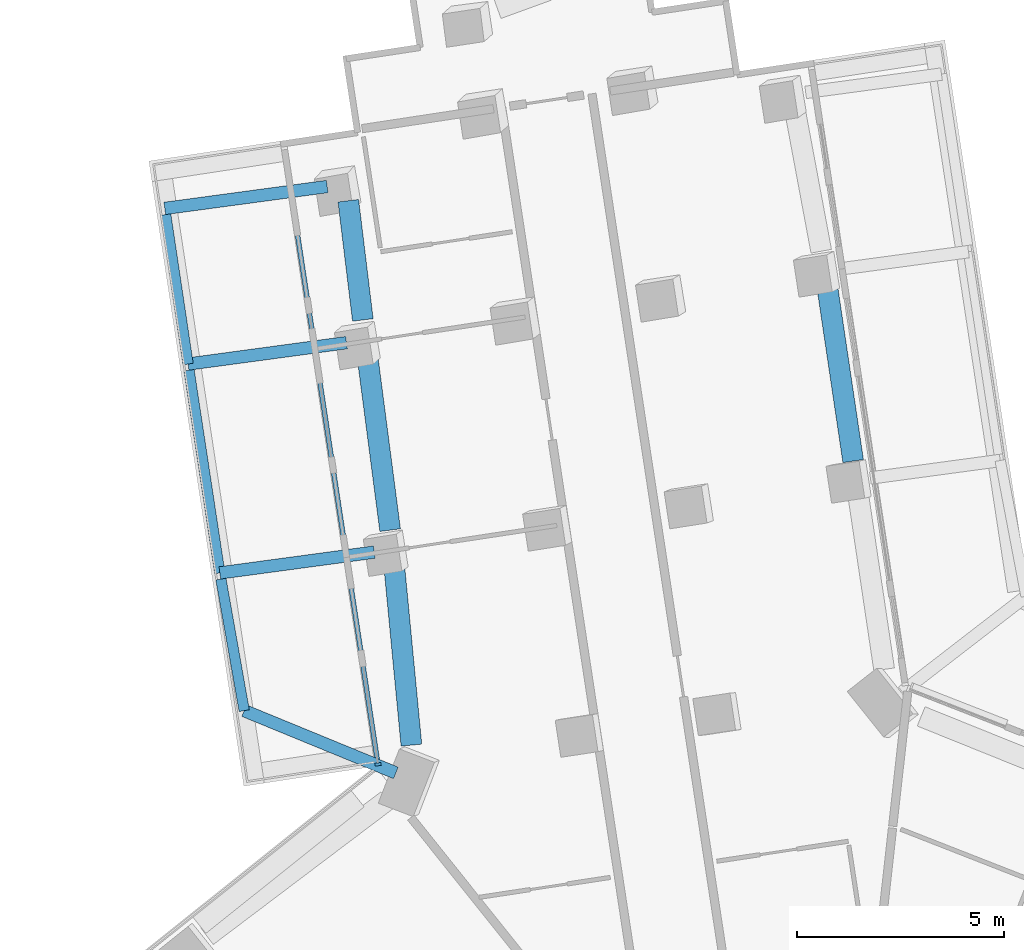
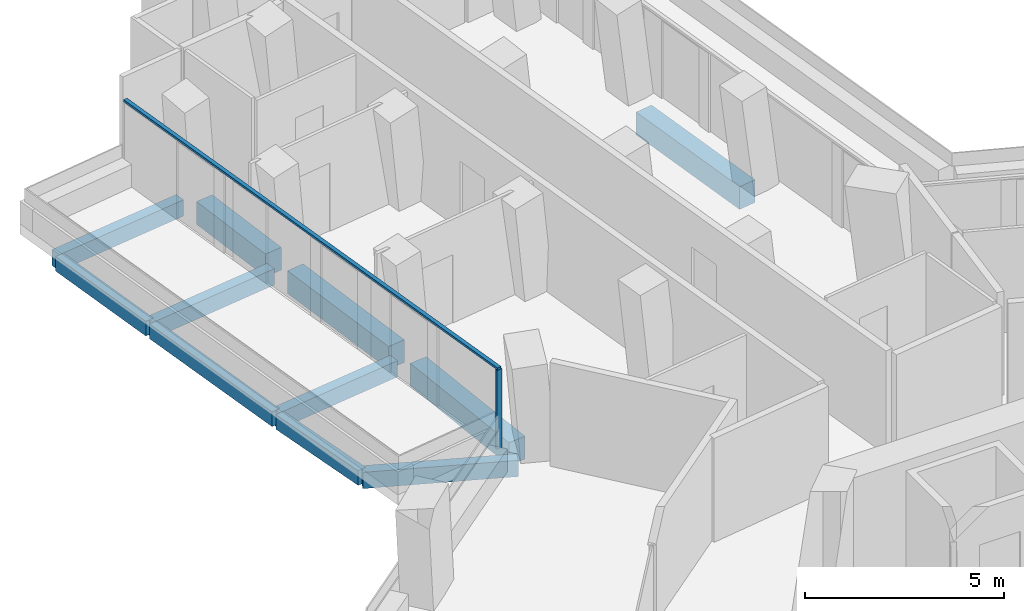
# One storey, part 8 of 28: 11 beams, 2 members, 1 element without a shape of its own.
"""IFC4 building model written with IfcOpenShell, lengths in metres."""

from ifc_helpers import new_model, si_unit, direction, frame, origin, origin_2d, place, context, subcontext, project, spatial, rectangle, extrude, material, layer, layer_set, material_profile, profile_set, type_object, element, aggregate, save


model = new_model("IFC4")

# Units and contexts
model_context = context("Model", 3, precision=1e-05, world=origin(), true_north=direction((0.0, 1.0)))
body_context = subcontext(model_context, "Body", "Model", "MODEL_VIEW")
ifc_project = project(units=[si_unit("LENGTHUNIT", "METRE"), si_unit("AREAUNIT", "SQUARE_METRE"), si_unit("VOLUMEUNIT", "CUBIC_METRE"), si_unit("PLANEANGLEUNIT", "RADIAN"), si_unit("MASSUNIT", "GRAM", prefix="KILO")], contexts=[model_context])

# Site, building, storey
site_placement = place(None, origin())
site = spatial("IfcSite", under=ifc_project, at=site_placement, CompositionType="ELEMENT")
building_placement = place(site_placement, origin())
building = spatial("IfcBuilding", under=site, at=building_placement, Name="Verdalira Terraces Hotel", CompositionType="ELEMENT")
storey_placement = place(building_placement, frame((0.0, 0.0, 68.0)))
storey = spatial("IfcBuildingStorey", under=building, at=storey_placement, Name="L15", CompositionType="ELEMENT", Elevation=68.0)

# Beams
ifc_material_1 = material(Name="Concrete C40", Category="concrete")
ifc_material_profile_1 = material_profile(ifc_material_1, rectangle(XDim=0.300049, YDim=0.5, at=origin_2d()), Name="RC 300X500")
ifc_profile_set_1 = profile_set([ifc_material_profile_1], Name="Concrete C40")
beam_type_1 = type_object("IfcBeamType", Name="Balcony cantilever beam RC 300X500 C40", PredefinedType="BEAM", material=ifc_profile_set_1)
beam_1_placement = place(storey_placement, frame((-11.225098, 36.977295, -0.560059), z_axis=(-0.991030303, -0.133637343, 0.0), x_axis=(0.133637343, -0.991030303, 0.0)))
element("IfcBeam", 1, at=beam_1_placement, inside=storey, type_object=beam_type_1, Name="Balcony cantilever beam R10-1", PredefinedType="BEAM", context=body_context, shape_type="SweptSolid", body=[
    extrude(rectangle(XDim=0.300049, YDim=0.5, at=origin_2d()), origin(), (0.0, 0.0, 1.0), 3.949707),
])
beam_2_placement = place(storey_placement, frame((-10.76001, 33.214111, -0.560059), z_axis=(-0.99102695, -0.133662201, 0.0), x_axis=(0.133662201, -0.99102695, 0.0)))
element("IfcBeam", 2, at=beam_2_placement, inside=storey, type_object=beam_type_1, Name="Balcony cantilever beam R10-2", PredefinedType="BEAM", context=body_context, shape_type="SweptSolid", body=[
    extrude(rectangle(XDim=0.300049, YDim=0.5, at=origin_2d()), origin(), (0.0, 0.0, 1.0), 3.852295),
])
beam_3_placement = place(storey_placement, frame((-10.092041, 28.166748, -0.560059), z_axis=(-0.991030875, -0.1336331, 0.0), x_axis=(0.1336331, -0.991030875, 0.0)))
element("IfcBeam", 3, at=beam_3_placement, inside=storey, type_object=beam_type_1, Name="Balcony cantilever beam R10-3", PredefinedType="BEAM", context=body_context, shape_type="SweptSolid", body=[
    extrude(rectangle(XDim=0.300049, YDim=0.5, at=origin_2d()), origin(), (0.0, 0.0, 1.0), 3.754395),
])
beam_4_placement = place(storey_placement, frame((-9.571289, 22.845947, -0.560059), z_axis=(-0.925057828, 0.379826296, 0.0), x_axis=(-0.379826296, -0.925057828, 0.0)))
element("IfcBeam", 4, at=beam_4_placement, inside=storey, type_object=beam_type_1, Name="Balcony cantilever beam R10-4", PredefinedType="BEAM", context=body_context, shape_type="SweptSolid", body=[
    extrude(rectangle(XDim=0.300049, YDim=0.5, at=origin_2d()), origin(), (0.0, 0.0, 1.0), 3.949707),
])
ifc_material_2 = material(Name="Concrete C40", Category="concrete")
ifc_material_profile_2 = material_profile(ifc_material_2, rectangle(XDim=0.25, YDim=0.449951, at=origin_2d()), Name="RC 250X450")
ifc_profile_set_2 = profile_set([ifc_material_profile_2], Name="Concrete C40")
beam_type_2 = type_object("IfcBeamType", Name="Balcony edge beam RC 250X450 C40", PredefinedType="BEAM", material=ifc_profile_set_2)
beam_5_placement = place(storey_placement, frame((-15.117188, 36.30127, -0.534912), z_axis=(0.148137228, -0.988966815, 0.0), x_axis=(0.988966815, 0.148137228, 0.0)))
element("IfcBeam", 5, at=beam_5_placement, inside=storey, type_object=beam_type_2, Name="Balcony edge beam R10-1", PredefinedType="BEAM", context=body_context, shape_type="SweptSolid", body=[
    extrude(rectangle(XDim=0.25, YDim=0.449951, at=origin_2d()), origin(), (0.0, 0.0, 1.0), 3.642334),
])
beam_6_placement = place(storey_placement, frame((-14.555176, 32.551025, -0.534912), z_axis=(0.150226822, -0.988651557, 0.0), x_axis=(0.988651557, 0.150226822, 0.0)))
element("IfcBeam", 6, at=beam_6_placement, inside=storey, type_object=beam_type_2, Name="Balcony edge beam R10-2", PredefinedType="BEAM", context=body_context, shape_type="SweptSolid", body=[
    extrude(rectangle(XDim=0.25, YDim=0.449951, at=origin_2d()), origin(), (0.0, 0.0, 1.0), 4.942139),
])
beam_7_placement = place(storey_placement, frame((-13.786621, 27.517334, -0.534912), z_axis=(0.174360485, -0.984681888, 0.0), x_axis=(0.984681888, 0.174360485, 0.0)))
element("IfcBeam", 7, at=beam_7_placement, inside=storey, type_object=beam_type_2, Name="Balcony edge beam R10-3", PredefinedType="BEAM", context=body_context, shape_type="SweptSolid", body=[
    extrude(rectangle(XDim=0.25, YDim=0.449951, at=origin_2d()), origin(), (0.0, 0.0, 1.0), 3.220459),
])

# Curtain wall, members
ifc_material_3 = material(Name="Clear glass", Category="glass")
ifc_layer = layer(ifc_material_3, 0.14990234375)
ifc_layer_set = layer_set([ifc_layer], Name="CW2 curtain wall")
curtain_wall_type = type_object("IfcCurtainWallType", Name="CW2 curtain wall", PredefinedType="NOTDEFINED", material=ifc_layer_set)
curtain_wall_placement = place(storey_placement, origin())
curtain_wall = element("IfcCurtainWall", 8, at=curtain_wall_placement, inside=storey, type_object=curtain_wall_type, Name="CW2 curtain wall L15 edge 10", PredefinedType="NOTDEFINED")
ifc_material_4 = material(Name="Terracotta frame", Category="masonry")
ifc_material_profile_3 = material_profile(ifc_material_4, rectangle(XDim=0.070068, YDim=0.149902, at=origin_2d()), Name="MU 70x150")
ifc_profile_set_3 = profile_set([ifc_material_profile_3], Name="Terracotta frame")
member_type_1 = type_object("IfcMemberType", Name="CW2 mullion 70x150", PredefinedType="MULLION", material=ifc_profile_set_3)
member_1_placement = place(storey_placement, frame((-10.001465, 23.05249, 0.0), z_axis=(0.0, 0.0, 1.0), x_axis=(0.150225589, -0.988651745, 0.0)))
member_1 = element("IfcMember", 9, at=member_1_placement, type_object=member_type_1, Name="CW2 mullion", PredefinedType="MULLION", context=body_context, shape_type="SweptSolid", body=[
    extrude(rectangle(XDim=0.070068, YDim=0.149902, at=origin_2d()), origin(), (0.0, 0.0, 1.0), 2.425049),
])
ifc_material_5 = material(Name="Terracotta frame", Category="masonry")
ifc_material_profile_4 = material_profile(ifc_material_5, rectangle(XDim=0.11499, YDim=0.064941, at=origin_2d()), Name="TR 65x115")
ifc_profile_set_4 = profile_set([ifc_material_profile_4], Name="Terracotta frame")
member_type_2 = type_object("IfcMemberType", Name="CW2 transom 65x115", PredefinedType="USERDEFINED", material=ifc_profile_set_4)
member_2_placement = place(storey_placement, frame((-12.262939, 37.93457, 2.45752), z_axis=(0.150225742, -0.988651722, 0.0), x_axis=(0.988651722, 0.150225742, 0.0)))
member_2 = element("IfcMember", 10, at=member_2_placement, type_object=member_type_2, Name="CW2 transom", ObjectType="TRANSOM", PredefinedType="USERDEFINED", context=body_context, shape_type="SweptSolid", body=[
    extrude(rectangle(XDim=0.11499, YDim=0.064941, at=origin_2d()), origin(), (0.0, 0.0, 1.0), 15.087891),
])
aggregate(curtain_wall, [member_1, member_2])

# Beams
ifc_material_6 = material(Name="Concrete C70", Category="concrete")
ifc_material_profile_5 = material_profile(ifc_material_6, rectangle(XDim=0.5, YDim=0.699951, at=origin_2d()), Name="RC 500X700")
ifc_profile_set_5 = profile_set([ifc_material_profile_5], Name="Concrete C70")
beam_type_3 = type_object("IfcBeamType", Name="Spandrel beam RC 500X700 C70", PredefinedType="SPANDREL", material=ifc_profile_set_5)
beam_8_placement = place(storey_placement, frame((1.449951, 30.360107, -0.659912), z_axis=(-0.147036152, 0.989131119, 0.0), x_axis=(-0.989131119, -0.147036152, 0.0)))
element("IfcBeam", 11, at=beam_8_placement, inside=storey, type_object=beam_type_3, Name="Spandrel beam B02", PredefinedType="SPANDREL", context=body_context, shape_type="SweptSolid", body=[
    extrude(rectangle(XDim=0.5, YDim=0.699951, at=origin_2d()), origin(), (0.0, 0.0, 1.0), 4.192627),
])
beam_9_placement = place(storey_placement, frame((-10.716553, 36.634766, -0.659912), z_axis=(0.120961123, -0.992657245, 0.0), x_axis=(0.992657245, 0.120961123, 0.0)))
element("IfcBeam", 12, at=beam_9_placement, inside=storey, type_object=beam_type_3, Name="Spandrel beam B05", PredefinedType="SPANDREL", context=body_context, shape_type="SweptSolid", body=[
    extrude(rectangle(XDim=0.5, YDim=0.699951, at=origin_2d()), origin(), (0.0, 0.0, 1.0), 2.894287),
])
beam_10_placement = place(storey_placement, frame((-10.252686, 32.862061, -0.659912), z_axis=(0.129547892, -0.991573166, 0.0), x_axis=(0.991573166, 0.129547892, 0.0)))
element("IfcBeam", 13, at=beam_10_placement, inside=storey, type_object=beam_type_3, Name="Spandrel beam B06", PredefinedType="SPANDREL", context=body_context, shape_type="SweptSolid", body=[
    extrude(rectangle(XDim=0.5, YDim=0.699951, at=origin_2d()), origin(), (0.0, 0.0, 1.0), 4.200684),
])
beam_11_placement = place(storey_placement, frame((-9.605713, 27.785889, -0.659912), z_axis=(0.095491196, -0.995430275, 0.0), x_axis=(0.995430275, 0.095491196, 0.0)))
element("IfcBeam", 14, at=beam_11_placement, inside=storey, type_object=beam_type_3, Name="Spandrel beam B07", PredefinedType="SPANDREL", context=body_context, shape_type="SweptSolid", body=[
    extrude(rectangle(XDim=0.5, YDim=0.699951, at=origin_2d()), origin(), (0.0, 0.0, 1.0), 4.290039),
])

save(model, "model.ifc")
